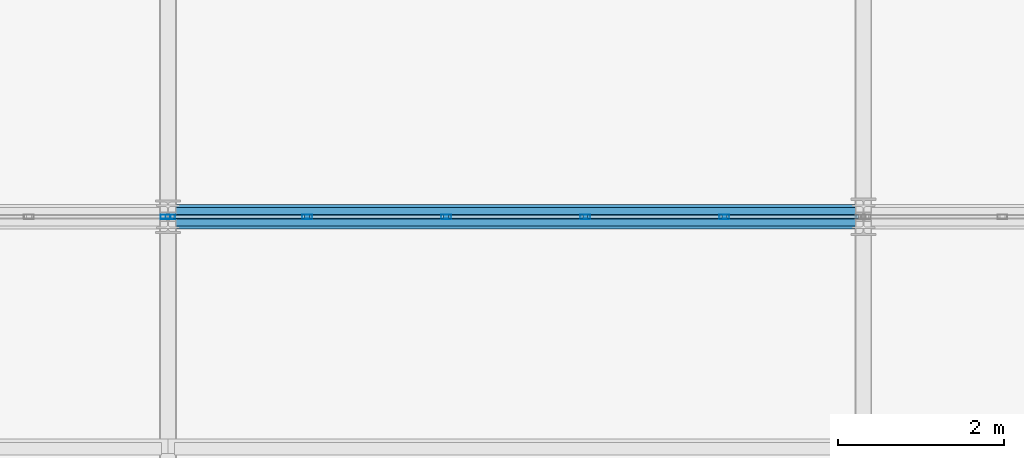
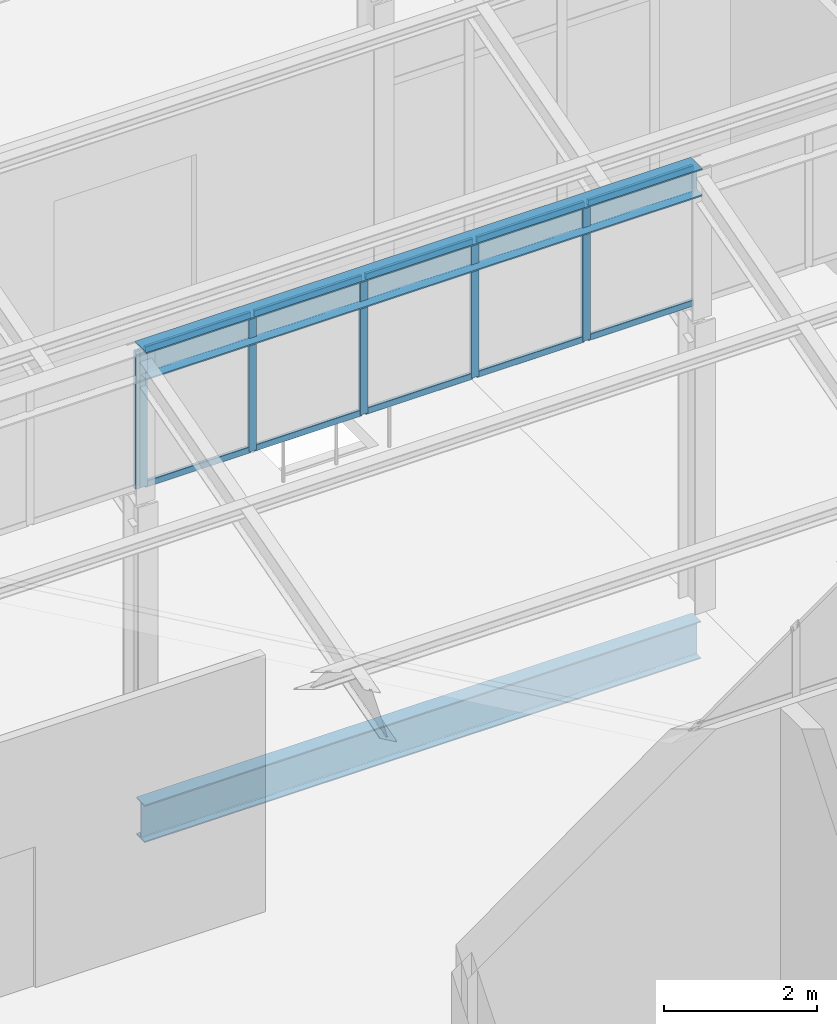
# One storey, part 20 of 53: 16 members, 2 beams, 2 elements without a shape of their own.
"""IFC4 building model written with IfcOpenShell, lengths in metres."""

import ifcopenshell
import ifcopenshell.guid

model = None  # the IFC model being written
_history = None  # IfcOwnerHistory: only IFC2X3 demands one
_inside = {}  # id of a spatial element -> (the spatial element, [elements in it])
_under = {}  # id of a project, library or spatial element -> (it, [spatial elements below it])
_declared = {}  # id of a project -> (the project, [libraries it declares])
_typed = {}  # id of a type object -> (the type object, [elements of that type])
_made_of = {}  # id of a material, layer set ... -> (it, [elements and type objects made of it])


def new_model(schema):
    """Start an empty IFC model of exactly this schema.

    Asked for "IFC4X3", IfcOpenShell would pick the latest addendum, in which some entities
    have other attributes; the version numbers below select the first issue.
    IFC2X3 requires an IfcOwnerHistory on every rooted entity: one is made here for all.
    """
    global model, _history
    if schema == "IFC4X3":
        model = ifcopenshell.file(schema_version=(4, 3, 0, 0))
    else:
        model = ifcopenshell.file(schema=schema)
    _inside.clear()
    _under.clear()
    _declared.clear()
    _typed.clear()
    _made_of.clear()
    _history = None
    if model.schema == "IFC2X3":
        org = make("IfcOrganization", Name="unknown")
        user = make(
            "IfcPersonAndOrganization",
            ThePerson=make("IfcPerson", FamilyName="unknown"),
            TheOrganization=org,
        )
        app = make(
            "IfcApplication",
            ApplicationDeveloper=org,
            Version="unknown",
            ApplicationFullName="unknown",
            ApplicationIdentifier="unknown",
        )
        _history = make(
            "IfcOwnerHistory",
            OwningUser=user,
            OwningApplication=app,
            ChangeAction="ADDED",
            CreationDate=0,
        )
    return model


def make(cls, **values):
    """One entity of the class cls with the attributes given. An attribute that is None is left unset."""
    return model.create_entity(
        cls, **{name: value for name, value in values.items() if value is not None}
    )


def rooted(cls, **values):
    """An entity with a GlobalId (a new one), such as an element, a storey or a relation."""
    return make(cls, GlobalId=ifcopenshell.guid.new(), OwnerHistory=_history, **values)


def si_unit(unit_type, name, prefix=None):
    """IfcSIUnit, for example si_unit("LENGTHUNIT", "METRE", prefix="MILLI")."""
    return make("IfcSIUnit", UnitType=unit_type, Prefix=prefix, Name=name)


def assignment(units):
    """IfcUnitAssignment: the units of a project."""
    return None if units is None else make("IfcUnitAssignment", Units=units)


def point(xyz):
    """IfcCartesianPoint."""
    return None if xyz is None else make("IfcCartesianPoint", Coordinates=xyz)


def direction(xyz):
    """IfcDirection."""
    return None if xyz is None else make("IfcDirection", DirectionRatios=xyz)


def frame(location, z_axis=None, x_axis=None):
    """IfcAxis2Placement3D, a coordinate frame: its origin and axes. An axis left out is left unset."""
    return make(
        "IfcAxis2Placement3D",
        Location=point(location),
        Axis=direction(z_axis),
        RefDirection=direction(x_axis),
    )


def frame_2d(location, x_axis=None):
    """IfcAxis2Placement2D, a coordinate frame in the plane: its origin and x axis."""
    return make(
        "IfcAxis2Placement2D", Location=point(location), RefDirection=direction(x_axis)
    )


def origin():
    """The frame at (0, 0, 0) with its axes left unset."""
    return frame((0.0, 0.0, 0.0))


def origin_2d():
    """The frame at (0, 0) in the plane with its x axis left unset."""
    return frame_2d((0.0, 0.0))


def place(relative_to, where):
    """IfcLocalPlacement: puts the frame where relative to a parent placement (None: the world)."""
    return make(
        "IfcLocalPlacement", PlacementRelTo=relative_to, RelativePlacement=where
    )


def context(
    kind, dimensions, precision=None, world=None, true_north=None, identifier=None
):
    """IfcGeometricRepresentationContext, for example the 3D "Model" context."""
    return make(
        "IfcGeometricRepresentationContext",
        ContextIdentifier=identifier,
        ContextType=kind,
        CoordinateSpaceDimension=dimensions,
        Precision=precision,
        WorldCoordinateSystem=world,
        TrueNorth=true_north,
    )


def subcontext(parent, identifier, kind, view, scale=None):
    """IfcGeometricRepresentationSubContext, for example "Body" below "Model"."""
    return make(
        "IfcGeometricRepresentationSubContext",
        ContextIdentifier=identifier,
        ContextType=kind,
        ParentContext=parent,
        TargetScale=scale,
        TargetView=view,
    )


def project(units=None, contexts=None):
    """IfcProject with its units and contexts."""
    return rooted(
        "IfcProject",
        Name="project",
        RepresentationContexts=contexts,
        UnitsInContext=assignment(units),
    )


def spatial(cls, under=None, at=None, **own):
    """A site, building, storey or space (cls), placed at a placement, below another one or the project."""
    s = rooted(cls, ObjectPlacement=at, **own)
    if under is not None:
        _under.setdefault(under.id(), (under, []))[1].append(s)
    return s


def profile(cls, at=None, kind="AREA", **sizes):
    """A parametric profile (cls). Its sizes go by their IFC names, for example OverallWidth=200.0."""
    return make(cls, ProfileType=kind, Position=at, **sizes)


def hollow_rectangle(**sizes):
    """IfcRectangleHollowProfileDef."""
    return profile("IfcRectangleHollowProfileDef", **sizes)


def i_section(**sizes):
    """IfcIShapeProfileDef."""
    return profile("IfcIShapeProfileDef", **sizes)


def extrude(swept, where, along, depth):
    """IfcExtrudedAreaSolid: the profile swept, set in the frame where, extruded along a direction by depth."""
    return make(
        "IfcExtrudedAreaSolid",
        SweptArea=swept,
        Position=where,
        ExtrudedDirection=direction(along),
        Depth=depth,
    )


def shape(context_of_items, identifier, shape_type, items):
    """IfcShapeRepresentation: the items that make up one representation, for example the "Body"."""
    return make(
        "IfcShapeRepresentation",
        ContextOfItems=context_of_items,
        RepresentationIdentifier=identifier,
        RepresentationType=shape_type,
        Items=items,
    )


def material(Name=None, Category=None):
    """IfcMaterial."""
    return make("IfcMaterial", Name=Name, Category=Category)


def layer(
    of_material, thickness, ventilated=None, Name=None, Category=None, Priority=None
):
    """IfcMaterialLayer: one layer of a wall or slab, of a material (None: an air gap)."""
    return make(
        "IfcMaterialLayer",
        Material=of_material,
        LayerThickness=thickness,
        IsVentilated=ventilated,
        Name=Name,
        Category=Category,
        Priority=Priority,
    )


def layer_set(layers, Name=None):
    """IfcMaterialLayerSet."""
    return make("IfcMaterialLayerSet", MaterialLayers=layers, LayerSetName=Name)


def material_profile(
    of_material, cross_section, Name=None, Category=None, Priority=None
):
    """IfcMaterialProfile: a cross section and its material."""
    return make(
        "IfcMaterialProfile",
        Name=Name,
        Material=of_material,
        Profile=cross_section,
        Priority=Priority,
        Category=Category,
    )


def profile_set(profiles, Name=None, composite=None):
    """IfcMaterialProfileSet."""
    return make(
        "IfcMaterialProfileSet",
        Name=Name,
        MaterialProfiles=profiles,
        CompositeProfile=composite,
    )


def made_of(thing, what):
    """Note that an element or type object is made of a material, layer set ...; save() writes the relation."""
    if what is not None:
        _made_of.setdefault(what.id(), (what, []))[1].append(thing)
    return thing


def type_object(cls, material=None, **own):
    """A type object (cls), such as IfcWallType, which elements share."""
    return made_of(rooted(cls, **own), material)


def element(
    cls,
    number,
    at=None,
    inside=None,
    cuts=None,
    type_object=None,
    material=None,
    context=None,
    identifier="Body",
    shape_type=None,
    held_by="IfcProductDefinitionShape",
    body=None,
    shapes=None,
    **own,
):
    """One element of the class cls, such as IfcWall. Its Tag is "e" and its number.

    at: its placement. inside: the storey or other place that contains it. cuts: it is an
    opening in that element (IfcRelVoidsElement). A single representation is given by context,
    identifier, shape_type and body (its items); several are given by shapes. held_by: the class
    of the entity that holds the representations. save() writes the other relations.
    """
    e = rooted(cls, Tag="e%d" % number, ObjectPlacement=at, **own)
    if body is not None:
        shapes = [shape(context, identifier, shape_type, body)]
    if shapes is not None:
        e.Representation = make(held_by, Representations=shapes)
    if inside is not None:
        _inside.setdefault(inside.id(), (inside, []))[1].append(e)
    if cuts is not None:
        rooted(
            "IfcRelVoidsElement", RelatingBuildingElement=cuts, RelatedOpeningElement=e
        )
    if type_object is not None:
        _typed.setdefault(type_object.id(), (type_object, []))[1].append(e)
    return made_of(e, material)


def aggregate(whole, parts):
    """IfcRelAggregates: a whole, such as a stair, and the parts it consists of."""
    return rooted("IfcRelAggregates", RelatingObject=whole, RelatedObjects=parts)


def save(model, path):
    """Write the relations noted so far, then the file.

    IfcRelAggregates (storeys below a building ...), IfcRelContainedInSpatialStructure (elements
    in a storey), IfcRelDefinesByType, IfcRelAssociatesMaterial and IfcRelDeclares: one each for
    every whole, place, type object, material and project.
    """
    for whole, parts in _under.values():
        aggregate(whole, parts)
    for where, things in _inside.values():
        rooted(
            "IfcRelContainedInSpatialStructure",
            RelatedElements=things,
            RelatingStructure=where,
        )
    for kind, things in _typed.values():
        rooted("IfcRelDefinesByType", RelatedObjects=things, RelatingType=kind)
    for what, things in _made_of.values():
        rooted("IfcRelAssociatesMaterial", RelatedObjects=things, RelatingMaterial=what)
    for by, libraries in _declared.values():
        rooted("IfcRelDeclares", RelatingContext=by, RelatedDefinitions=libraries)
    model.write(path)


model = new_model("IFC4")

# Units and contexts
model_context = context("Model", 3, precision=1e-05, world=origin(), true_north=direction((0.0, 1.0)))
body_context = subcontext(model_context, "Body", "Model", "MODEL_VIEW")
ifc_project = project(units=[si_unit("LENGTHUNIT", "METRE"), si_unit("AREAUNIT", "SQUARE_METRE"), si_unit("VOLUMEUNIT", "CUBIC_METRE"), si_unit("PLANEANGLEUNIT", "RADIAN"), si_unit("MASSUNIT", "GRAM", prefix="KILO")], contexts=[model_context])

# Site, building, storey
site_placement = place(None, origin())
site = spatial("IfcSite", under=ifc_project, at=site_placement, CompositionType="ELEMENT")
building_placement = place(site_placement, origin())
building = spatial("IfcBuilding", under=site, at=building_placement, Name="Qalvenar Corner Mobility Hub", CompositionType="ELEMENT")
storey_placement = place(building_placement, frame((0.0, 0.0, 26.39990234375)))
storey = spatial("IfcBuildingStorey", under=building, at=storey_placement, Name="L06", CompositionType="ELEMENT", Elevation=26.39990234375)

# Beams
ifc_material_1 = material(Name="Steel S355", Category="steel")
ifc_material_profile_1 = material_profile(ifc_material_1, i_section(OverallWidth=0.300048828125, OverallDepth=0.43994140625, WebThickness=0.011474609375, FlangeThickness=0.02099609375, FilletRadius=0.027099609375, at=origin_2d()), Name="HEA450")
ifc_profile_set_1 = profile_set([ifc_material_profile_1], Name="Steel S355")
beam_type_1 = type_object("IfcBeamType", Name="BM-HEA450", PredefinedType="BEAM", material=ifc_profile_set_1)
beam_1_placement = place(storey_placement, frame((8.39990234375, 25.199951171875, 6.81005859375), z_axis=(1.0, 0.0, 0.0), x_axis=(0.0, 1.0, 0.0)))
element("IfcBeam", 1, at=beam_1_placement, inside=storey, type_object=beam_type_1, Name="Sawtooth Ridge Girder V3RDG-3-2", PredefinedType="BEAM", context=body_context, shape_type="SweptSolid", body=[
    extrude(i_section(OverallWidth=0.300048828125, OverallDepth=0.43994140625, WebThickness=0.011474609375, FlangeThickness=0.02099609375, FilletRadius=0.027099609375, at=origin_2d()), origin(), (0.0, 0.0, 1.0), 8.400146484375),
])
ifc_material_profile_2 = material_profile(ifc_material_1, i_section(OverallWidth=0.219970703125, OverallDepth=0.60009765625, WebThickness=0.011962890625, FlangeThickness=0.01904296875, FilletRadius=0.02392578125, at=origin_2d()), Name="IPE600")
ifc_profile_set_2 = profile_set([ifc_material_profile_2], Name="Steel S355")
beam_type_2 = type_object("IfcBeamType", Name="BM-IPE600", PredefinedType="BEAM", material=ifc_profile_set_2)
beam_2_placement = place(storey_placement, frame((8.39990234375, 25.199951171875, -0.52001953125), z_axis=(1.0, 0.0, 0.0), x_axis=(0.0, 1.0, 0.0)))
element("IfcBeam", 2, at=beam_2_placement, inside=storey, type_object=beam_type_2, Name="Primary Steel Girder GX-3068", PredefinedType="BEAM", context=body_context, shape_type="SweptSolid", body=[
    extrude(i_section(OverallWidth=0.219970703125, OverallDepth=0.60009765625, WebThickness=0.011962890625, FlangeThickness=0.01904296875, FilletRadius=0.02392578125, at=origin_2d()), origin(), (0.0, 0.0, 1.0), 8.400146484375),
])

# Curtain wall, member
ifc_material_2 = material(Name="Anodised Aluminium and Low-E Glazing", Category="aluminium")
ifc_layer = layer(ifc_material_2, 0.1201171875)
ifc_layer_set = layer_set([ifc_layer], Name="Anodised Aluminium and Low-E Glazing")
curtain_wall_type = type_object("IfcCurtainWallType", Name="CW-CLR-84X24", PredefinedType="NOTDEFINED", material=ifc_layer_set)
curtain_wall_1_placement = place(storey_placement, origin())
curtain_wall_1 = element("IfcCurtainWall", 3, at=curtain_wall_1_placement, inside=storey, type_object=curtain_wall_type, Name="Glazed Curtain Wall CW-V3-SAW-3-0", PredefinedType="NOTDEFINED")
ifc_material_3 = material(Name="Anodised Aluminium 6063-T6", Category="aluminium")
ifc_material_profile_3 = material_profile(ifc_material_3, hollow_rectangle(XDim=0.054931640625, YDim=0.1201171875, WallThickness=0.00341796875, InnerFilletRadius=0.00341796875, OuterFilletRadius=0.007080078125, at=origin_2d()), Name="RHS120x55x3.5")
ifc_profile_set_3 = profile_set([ifc_material_profile_3], Name="Anodised Aluminium 6063-T6")
member_type_1 = type_object("IfcMemberType", Name="CW-MUL120", PredefinedType="MULLION", material=ifc_profile_set_3)
member_1_placement = place(storey_placement, frame((8.3701171875, 25.199951171875, 4.800048828125), z_axis=(0.0, 0.0, 1.0), x_axis=(0.0, -1.0, 0.0)))
member_1 = element("IfcMember", 4, at=member_1_placement, type_object=member_type_1, Name="CW-12 mullion 1", PredefinedType="MULLION", context=body_context, shape_type="SweptSolid", body=[
    extrude(hollow_rectangle(XDim=0.054931640625, YDim=0.1201171875, WallThickness=0.00341796875, InnerFilletRadius=0.00341796875, OuterFilletRadius=0.007080078125, at=origin_2d()), origin(), (0.0, 0.0, 1.0), 2.199951171875),
])
aggregate(curtain_wall_1, [member_1])

# Curtain wall, members
curtain_wall_2_placement = place(storey_placement, origin())
curtain_wall_2 = element("IfcCurtainWall", 5, at=curtain_wall_2_placement, inside=storey, type_object=curtain_wall_type, Name="Glazed Curtain Wall CW-V3-SAW-3-1", PredefinedType="NOTDEFINED")
member_2_placement = place(storey_placement, frame((15.1201171875, 25.199951171875, 4.800048828125), z_axis=(0.0, 0.0, 1.0), x_axis=(0.0, -1.0, 0.0)))
member_2 = element("IfcMember", 6, at=member_2_placement, type_object=member_type_1, Name="CW-12 mullion 2", PredefinedType="MULLION", context=body_context, shape_type="SweptSolid", body=[
    extrude(hollow_rectangle(XDim=0.054931640625, YDim=0.1201171875, WallThickness=0.00341796875, InnerFilletRadius=0.00341796875, OuterFilletRadius=0.007080078125, at=origin_2d()), origin(), (0.0, 0.0, 1.0), 2.199951171875),
])
member_3_placement = place(storey_placement, frame((13.43994140625, 25.199951171875, 4.800048828125), z_axis=(0.0, 0.0, 1.0), x_axis=(0.0, -1.0, 0.0)))
member_3 = element("IfcMember", 7, at=member_3_placement, type_object=member_type_1, Name="CW-12 mullion 3", PredefinedType="MULLION", context=body_context, shape_type="SweptSolid", body=[
    extrude(hollow_rectangle(XDim=0.054931640625, YDim=0.1201171875, WallThickness=0.00341796875, InnerFilletRadius=0.00341796875, OuterFilletRadius=0.007080078125, at=origin_2d()), origin(), (0.0, 0.0, 1.0), 2.199951171875),
])
member_4_placement = place(storey_placement, frame((11.760009765625, 25.199951171875, 4.800048828125), z_axis=(0.0, 0.0, 1.0), x_axis=(0.0, -1.0, 0.0)))
member_4 = element("IfcMember", 8, at=member_4_placement, type_object=member_type_1, Name="CW-12 mullion 4", PredefinedType="MULLION", context=body_context, shape_type="SweptSolid", body=[
    extrude(hollow_rectangle(XDim=0.054931640625, YDim=0.1201171875, WallThickness=0.00341796875, InnerFilletRadius=0.00341796875, OuterFilletRadius=0.007080078125, at=origin_2d()), origin(), (0.0, 0.0, 1.0), 2.199951171875),
])
member_5_placement = place(storey_placement, frame((10.080078125, 25.199951171875, 4.800048828125), z_axis=(0.0, 0.0, 1.0), x_axis=(0.0, -1.0, 0.0)))
member_5 = element("IfcMember", 9, at=member_5_placement, type_object=member_type_1, Name="CW-12 mullion 5", PredefinedType="MULLION", context=body_context, shape_type="SweptSolid", body=[
    extrude(hollow_rectangle(XDim=0.054931640625, YDim=0.1201171875, WallThickness=0.00341796875, InnerFilletRadius=0.00341796875, OuterFilletRadius=0.007080078125, at=origin_2d()), origin(), (0.0, 0.0, 1.0), 2.199951171875),
])
member_6_placement = place(storey_placement, frame((8.429931640625, 25.199951171875, 4.800048828125), z_axis=(0.0, 0.0, 1.0), x_axis=(0.0, -1.0, 0.0)))
member_6 = element("IfcMember", 10, at=member_6_placement, type_object=member_type_1, Name="CW-12 mullion 6", PredefinedType="MULLION", context=body_context, shape_type="SweptSolid", body=[
    extrude(hollow_rectangle(XDim=0.054931640625, YDim=0.1201171875, WallThickness=0.00341796875, InnerFilletRadius=0.00341796875, OuterFilletRadius=0.007080078125, at=origin_2d()), origin(), (0.0, 0.0, 1.0), 2.199951171875),
])
ifc_material_profile_4 = material_profile(ifc_material_3, hollow_rectangle(XDim=0.050048828125, YDim=0.10009765625, WallThickness=0.0029296875, InnerFilletRadius=0.0029296875, OuterFilletRadius=0.006103515625, at=origin_2d()), Name="RHS100x50x3")
ifc_profile_set_4 = profile_set([ifc_material_profile_4], Name="Anodised Aluminium 6063-T6")
member_type_2 = type_object("IfcMemberType", Name="CW-TRN100", PredefinedType="USERDEFINED", material=ifc_profile_set_4)
member_7_placement = place(storey_placement, frame((16.739990234375, 25.199951171875, 4.82763671875), z_axis=(-1.0, 0.0, 0.0), x_axis=(0.0, -1.0, 0.0)))
member_7 = element("IfcMember", 11, at=member_7_placement, type_object=member_type_2, Name="CW-12 transom 1.1", ObjectType="TRANSOM", PredefinedType="USERDEFINED", context=body_context, shape_type="SweptSolid", body=[
    extrude(hollow_rectangle(XDim=0.050048828125, YDim=0.10009765625, WallThickness=0.0029296875, InnerFilletRadius=0.0029296875, OuterFilletRadius=0.006103515625, at=origin_2d()), origin(), (0.0, 0.0, 1.0), 1.590087890625),
])
member_8_placement = place(storey_placement, frame((16.739990234375, 25.199951171875, 6.97265625), z_axis=(-1.0, 0.0, 0.0), x_axis=(0.0, -1.0, 0.0)))
member_8 = element("IfcMember", 12, at=member_8_placement, type_object=member_type_2, Name="CW-12 transom 1.2", ObjectType="TRANSOM", PredefinedType="USERDEFINED", context=body_context, shape_type="SweptSolid", body=[
    extrude(hollow_rectangle(XDim=0.050048828125, YDim=0.10009765625, WallThickness=0.0029296875, InnerFilletRadius=0.0029296875, OuterFilletRadius=0.006103515625, at=origin_2d()), origin(), (0.0, 0.0, 1.0), 1.590087890625),
])
member_9_placement = place(storey_placement, frame((15.090087890625, 25.199951171875, 4.82763671875), z_axis=(-1.0, 0.0, 0.0), x_axis=(0.0, -1.0, 0.0)))
member_9 = element("IfcMember", 13, at=member_9_placement, type_object=member_type_2, Name="CW-12 transom 2.1", ObjectType="TRANSOM", PredefinedType="USERDEFINED", context=body_context, shape_type="SweptSolid", body=[
    extrude(hollow_rectangle(XDim=0.050048828125, YDim=0.10009765625, WallThickness=0.0029296875, InnerFilletRadius=0.0029296875, OuterFilletRadius=0.006103515625, at=origin_2d()), origin(), (0.0, 0.0, 1.0), 1.6201171875),
])
member_10_placement = place(storey_placement, frame((15.090087890625, 25.199951171875, 6.97265625), z_axis=(-1.0, 0.0, 0.0), x_axis=(0.0, -1.0, 0.0)))
member_10 = element("IfcMember", 14, at=member_10_placement, type_object=member_type_2, Name="CW-12 transom 2.2", ObjectType="TRANSOM", PredefinedType="USERDEFINED", context=body_context, shape_type="SweptSolid", body=[
    extrude(hollow_rectangle(XDim=0.050048828125, YDim=0.10009765625, WallThickness=0.0029296875, InnerFilletRadius=0.0029296875, OuterFilletRadius=0.006103515625, at=origin_2d()), origin(), (0.0, 0.0, 1.0), 1.6201171875),
])
member_11_placement = place(storey_placement, frame((13.409912109375, 25.199951171875, 4.82763671875), z_axis=(-1.0, 0.0, 0.0), x_axis=(0.0, -1.0, 0.0)))
member_11 = element("IfcMember", 15, at=member_11_placement, type_object=member_type_2, Name="CW-12 transom 3.1", ObjectType="TRANSOM", PredefinedType="USERDEFINED", context=body_context, shape_type="SweptSolid", body=[
    extrude(hollow_rectangle(XDim=0.050048828125, YDim=0.10009765625, WallThickness=0.0029296875, InnerFilletRadius=0.0029296875, OuterFilletRadius=0.006103515625, at=origin_2d()), origin(), (0.0, 0.0, 1.0), 1.619873046875),
])
member_12_placement = place(storey_placement, frame((13.409912109375, 25.199951171875, 6.97265625), z_axis=(-1.0, 0.0, 0.0), x_axis=(0.0, -1.0, 0.0)))
member_12 = element("IfcMember", 16, at=member_12_placement, type_object=member_type_2, Name="CW-12 transom 3.2", ObjectType="TRANSOM", PredefinedType="USERDEFINED", context=body_context, shape_type="SweptSolid", body=[
    extrude(hollow_rectangle(XDim=0.050048828125, YDim=0.10009765625, WallThickness=0.0029296875, InnerFilletRadius=0.0029296875, OuterFilletRadius=0.006103515625, at=origin_2d()), origin(), (0.0, 0.0, 1.0), 1.619873046875),
])
member_13_placement = place(storey_placement, frame((11.72998046875, 25.199951171875, 4.82763671875), z_axis=(-1.0, 0.0, 0.0), x_axis=(0.0, -1.0, 0.0)))
member_13 = element("IfcMember", 17, at=member_13_placement, type_object=member_type_2, Name="CW-12 transom 4.1", ObjectType="TRANSOM", PredefinedType="USERDEFINED", context=body_context, shape_type="SweptSolid", body=[
    extrude(hollow_rectangle(XDim=0.050048828125, YDim=0.10009765625, WallThickness=0.0029296875, InnerFilletRadius=0.0029296875, OuterFilletRadius=0.006103515625, at=origin_2d()), origin(), (0.0, 0.0, 1.0), 1.619873046875),
])
member_14_placement = place(storey_placement, frame((11.72998046875, 25.199951171875, 6.97265625), z_axis=(-1.0, 0.0, 0.0), x_axis=(0.0, -1.0, 0.0)))
member_14 = element("IfcMember", 18, at=member_14_placement, type_object=member_type_2, Name="CW-12 transom 4.2", ObjectType="TRANSOM", PredefinedType="USERDEFINED", context=body_context, shape_type="SweptSolid", body=[
    extrude(hollow_rectangle(XDim=0.050048828125, YDim=0.10009765625, WallThickness=0.0029296875, InnerFilletRadius=0.0029296875, OuterFilletRadius=0.006103515625, at=origin_2d()), origin(), (0.0, 0.0, 1.0), 1.619873046875),
])
member_15_placement = place(storey_placement, frame((10.050048828125, 25.199951171875, 4.82763671875), z_axis=(-1.0, 0.0, 0.0), x_axis=(0.0, -1.0, 0.0)))
member_15 = element("IfcMember", 19, at=member_15_placement, type_object=member_type_2, Name="CW-12 transom 5.1", ObjectType="TRANSOM", PredefinedType="USERDEFINED", context=body_context, shape_type="SweptSolid", body=[
    extrude(hollow_rectangle(XDim=0.050048828125, YDim=0.10009765625, WallThickness=0.0029296875, InnerFilletRadius=0.0029296875, OuterFilletRadius=0.006103515625, at=origin_2d()), origin(), (0.0, 0.0, 1.0), 1.590087890625),
])
member_16_placement = place(storey_placement, frame((10.050048828125, 25.199951171875, 6.97265625), z_axis=(-1.0, 0.0, 0.0), x_axis=(0.0, -1.0, 0.0)))
member_16 = element("IfcMember", 20, at=member_16_placement, type_object=member_type_2, Name="CW-12 transom 5.2", ObjectType="TRANSOM", PredefinedType="USERDEFINED", context=body_context, shape_type="SweptSolid", body=[
    extrude(hollow_rectangle(XDim=0.050048828125, YDim=0.10009765625, WallThickness=0.0029296875, InnerFilletRadius=0.0029296875, OuterFilletRadius=0.006103515625, at=origin_2d()), origin(), (0.0, 0.0, 1.0), 1.590087890625),
])
aggregate(curtain_wall_2, [member_2, member_3, member_4, member_5, member_6, member_7, member_8, member_9, member_10, member_11, member_12, member_13, member_14, member_15, member_16])

save(model, "model.ifc")
